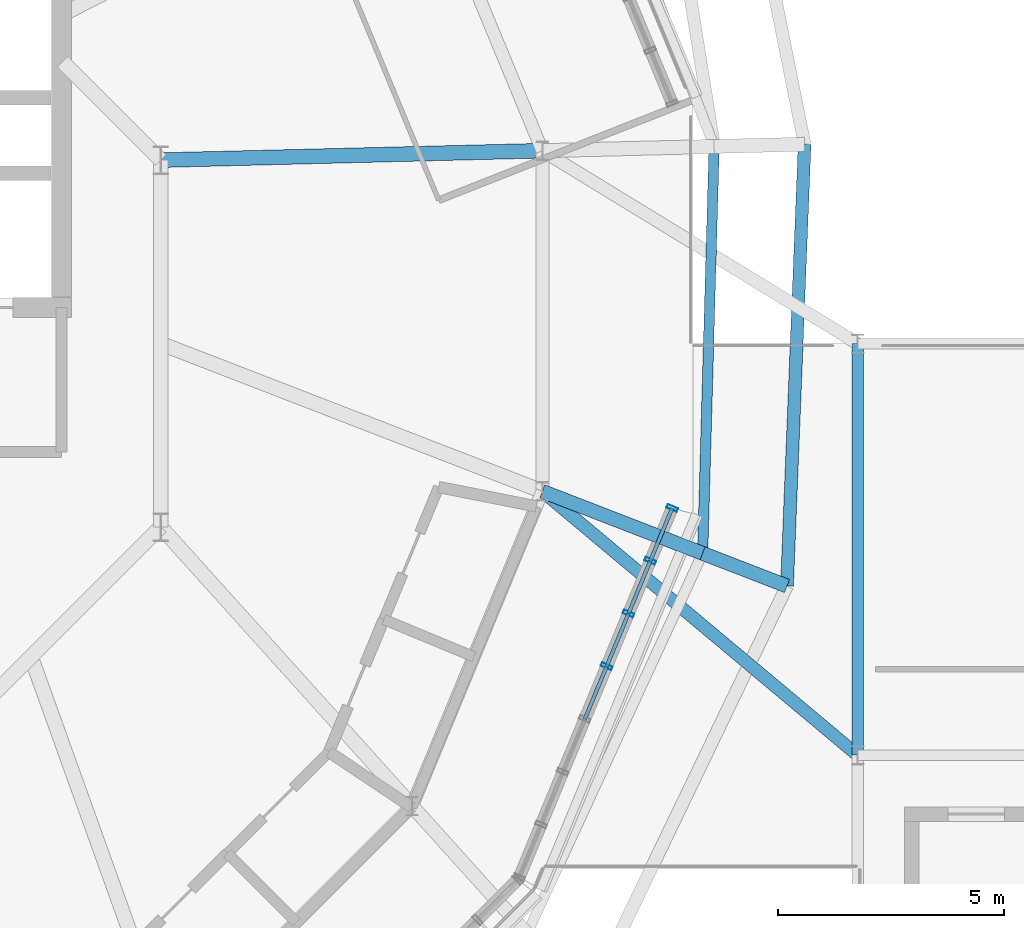
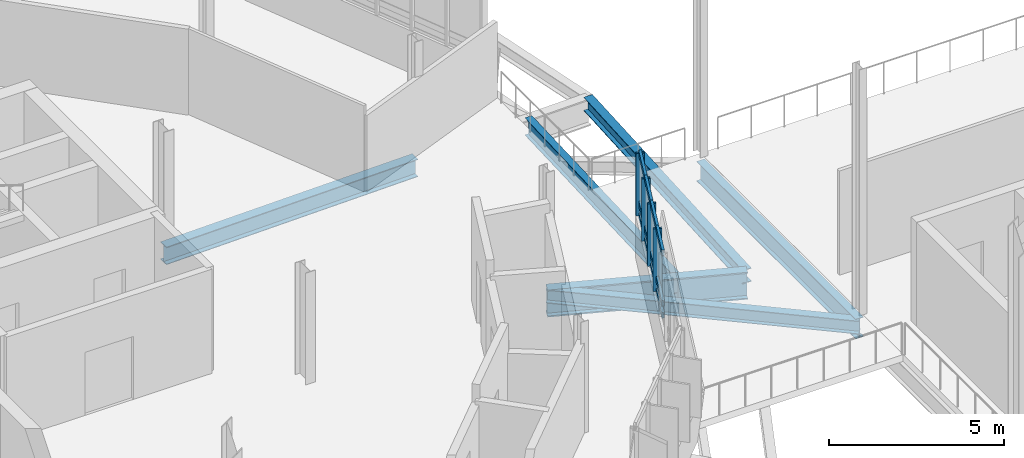
# One storey, part 21 of 61: 16 members, 7 beams, 1 element without a shape of its own.
"""IFC4 building model written with IfcOpenShell, lengths in metres."""

from ifc_helpers import new_model, si_unit, derived_unit, direction, frame, origin, origin_2d, place, context, subcontext, project, spatial, hollow_rectangle, i_section, extrude, material, layer, layer_set, material_profile, profile_set, type_object, element, aggregate, save


model = new_model("IFC4")

# Units and contexts
model_context = context("Model", 3, precision=1e-05, world=origin(), true_north=direction((0.0, 1.0)))
body_context = subcontext(model_context, "Body", "Model", "MODEL_VIEW")
ifc_project = project(units=[si_unit("LENGTHUNIT", "METRE"), si_unit("AREAUNIT", "SQUARE_METRE"), si_unit("VOLUMEUNIT", "CUBIC_METRE"), si_unit("PLANEANGLEUNIT", "RADIAN"), si_unit("MASSUNIT", "GRAM", prefix="KILO"), derived_unit("THERMALTRANSMITTANCEUNIT", [(si_unit("MASSUNIT", "GRAM", prefix="KILO"), 1), (si_unit("TIMEUNIT", "SECOND"), -3), (si_unit("THERMODYNAMICTEMPERATUREUNIT", "KELVIN"), -1)])], contexts=[model_context])

# Site, building, storey
site_placement = place(None, origin())
site = spatial("IfcSite", under=ifc_project, at=site_placement, CompositionType="ELEMENT")
building_placement = place(site_placement, origin())
building = spatial("IfcBuilding", under=site, at=building_placement, Name="Makaiwela Harbour Ferry Terminal", CompositionType="ELEMENT")
storey_placement = place(building_placement, frame((0.0, 0.0, 13.800048828125)))
storey = spatial("IfcBuildingStorey", under=building, at=storey_placement, Name="L03", CompositionType="ELEMENT", Elevation=13.800048828125)

# Curtain wall, members
ifc_material_1 = material(Name="Marine anodised aluminium 6063-T6", Category="aluminium")
ifc_layer = layer(ifc_material_1, 0.199951171875)
ifc_layer_set = layer_set([ifc_layer], Name="Marine anodised aluminium 6063-T6")
curtain_wall_type = type_object("IfcCurtainWallType", Name="ENV-CW-05", PredefinedType="USERDEFINED", material=ifc_layer_set)
curtain_wall_placement = place(storey_placement, origin())
curtain_wall = element("IfcCurtainWall", 1, at=curtain_wall_placement, inside=storey, type_object=curtain_wall_type, Name="Unitised Curtain Wall CWA-042", ObjectType="UNITIZED CURTAIN WALL", PredefinedType="USERDEFINED")
ifc_material_profile_1 = material_profile(ifc_material_1, hollow_rectangle(XDim=0.0849609375, YDim=0.25, WallThickness=0.0048828125, at=origin_2d()), Name="CWM-250X85")
ifc_profile_set_1 = profile_set([ifc_material_profile_1], Name="Marine anodised aluminium 6063-T6")
member_type_1 = type_object("IfcMemberType", Name="CW-MUL-250", PredefinedType="MULLION", material=ifc_profile_set_1)
member_1_placement = place(storey_placement, frame((57.451171875, 60.465576171875, 1.47998046875), z_axis=(0.0, 0.0, 1.0), x_axis=(0.382683432365, 0.923879532511, 0.0)))
member_1 = element("IfcMember", 2, at=member_1_placement, type_object=member_type_1, Name="Curtain Wall Mullion CWA-042-5", PredefinedType="MULLION", context=body_context, shape_type="SweptSolid", body=[
    extrude(hollow_rectangle(XDim=0.0849609375, YDim=0.25, WallThickness=0.0048828125, at=origin_2d()), origin(), (0.0, 0.0, 1.0), 2.179931640625),
])
member_2_placement = place(storey_placement, frame((57.934326171875, 61.6318359375, 1.47998046875), z_axis=(0.0, 0.0, 1.0), x_axis=(0.382683432365, 0.923879532511, 0.0)))
member_2 = element("IfcMember", 3, at=member_2_placement, type_object=member_type_1, Name="Curtain Wall Mullion CWA-042-6", PredefinedType="MULLION", context=body_context, shape_type="SweptSolid", body=[
    extrude(hollow_rectangle(XDim=0.0849609375, YDim=0.25, WallThickness=0.0048828125, at=origin_2d()), origin(), (0.0, 0.0, 1.0), 2.179931640625),
])
member_3_placement = place(storey_placement, frame((58.417236328125, 62.798095703125, 1.47998046875), z_axis=(0.0, 0.0, 1.0), x_axis=(0.382683432365, 0.923879532511, 0.0)))
member_3 = element("IfcMember", 4, at=member_3_placement, type_object=member_type_1, Name="Curtain Wall Mullion CWA-042-7", PredefinedType="MULLION", context=body_context, shape_type="SweptSolid", body=[
    extrude(hollow_rectangle(XDim=0.0849609375, YDim=0.25, WallThickness=0.0048828125, at=origin_2d()), origin(), (0.0, 0.0, 1.0), 2.179931640625),
])
member_4_placement = place(storey_placement, frame((58.900390625, 63.964111328125, 1.47998046875), z_axis=(0.0, 0.0, 1.0), x_axis=(0.382683432365, 0.923879532511, 0.0)))
member_4 = element("IfcMember", 5, at=member_4_placement, type_object=member_type_1, Name="Curtain Wall Mullion CWA-042-8", PredefinedType="MULLION", context=body_context, shape_type="SweptSolid", body=[
    extrude(hollow_rectangle(XDim=0.0849609375, YDim=0.25, WallThickness=0.0048828125, at=origin_2d()), origin(), (0.0, 0.0, 1.0), 2.179931640625),
])
ifc_material_profile_2 = material_profile(ifc_material_1, hollow_rectangle(XDim=0.0849609375, YDim=0.199951171875, WallThickness=0.0048828125, at=origin_2d()), Name="CWT-200X85")
ifc_profile_set_2 = profile_set([ifc_material_profile_2], Name="Marine anodised aluminium 6063-T6")
member_type_2 = type_object("IfcMemberType", Name="CW-TRN-200", PredefinedType="USERDEFINED", material=ifc_profile_set_2)
member_5_placement = place(storey_placement, frame((56.96826171875, 59.29931640625, 1.47998046875), z_axis=(0.382568167619, 0.923927268309, 0.0), x_axis=(-0.923927268309, 0.382568167619, 0.0)))
member_5 = element("IfcMember", 6, at=member_5_placement, type_object=member_type_2, Name="Curtain Wall Transom CWA-042-4-1", ObjectType="TRANSOM", PredefinedType="USERDEFINED", context=body_context, shape_type="SweptSolid", body=[
    extrude(hollow_rectangle(XDim=0.0849609375, YDim=0.199951171875, WallThickness=0.0048828125, at=origin_2d()), origin(), (0.0, 0.0, 1.0), 1.26220703125),
])
member_6_placement = place(storey_placement, frame((56.96826171875, 59.29931640625, 1.89990234375), z_axis=(0.382568167619, 0.923927268309, 0.0), x_axis=(-0.923927268309, 0.382568167619, 0.0)))
member_6 = element("IfcMember", 7, at=member_6_placement, type_object=member_type_2, Name="Curtain Wall Transom CWA-042-4-2", ObjectType="TRANSOM", PredefinedType="USERDEFINED", context=body_context, shape_type="SweptSolid", body=[
    extrude(hollow_rectangle(XDim=0.0849609375, YDim=0.199951171875, WallThickness=0.0048828125, at=origin_2d()), origin(), (0.0, 0.0, 1.0), 1.26220703125),
])
member_7_placement = place(storey_placement, frame((56.96826171875, 59.29931640625, 3.659912109375), z_axis=(0.382568167619, 0.923927268309, 0.0), x_axis=(-0.923927268309, 0.382568167619, 0.0)))
member_7 = element("IfcMember", 8, at=member_7_placement, type_object=member_type_2, Name="Curtain Wall Transom CWA-042-4-3", ObjectType="TRANSOM", PredefinedType="USERDEFINED", context=body_context, shape_type="SweptSolid", body=[
    extrude(hollow_rectangle(XDim=0.0849609375, YDim=0.199951171875, WallThickness=0.0048828125, at=origin_2d()), origin(), (0.0, 0.0, 1.0), 1.26220703125),
])
member_8_placement = place(storey_placement, frame((57.451171875, 60.465576171875, 1.47998046875), z_axis=(0.38273325349, 0.923858894352, 0.0), x_axis=(-0.923858894352, 0.38273325349, 0.0)))
member_8 = element("IfcMember", 9, at=member_8_placement, type_object=member_type_2, Name="Curtain Wall Transom CWA-042-5-1", ObjectType="TRANSOM", PredefinedType="USERDEFINED", context=body_context, shape_type="SweptSolid", body=[
    extrude(hollow_rectangle(XDim=0.0849609375, YDim=0.199951171875, WallThickness=0.0048828125, at=origin_2d()), origin(), (0.0, 0.0, 1.0), 1.262451171875),
])
member_9_placement = place(storey_placement, frame((57.451171875, 60.465576171875, 1.89990234375), z_axis=(0.38273325349, 0.923858894352, 0.0), x_axis=(-0.923858894352, 0.38273325349, 0.0)))
member_9 = element("IfcMember", 10, at=member_9_placement, type_object=member_type_2, Name="Curtain Wall Transom CWA-042-5-2", ObjectType="TRANSOM", PredefinedType="USERDEFINED", context=body_context, shape_type="SweptSolid", body=[
    extrude(hollow_rectangle(XDim=0.0849609375, YDim=0.199951171875, WallThickness=0.0048828125, at=origin_2d()), origin(), (0.0, 0.0, 1.0), 1.262451171875),
])
member_10_placement = place(storey_placement, frame((57.451171875, 60.465576171875, 3.659912109375), z_axis=(0.38273325349, 0.923858894352, 0.0), x_axis=(-0.923858894352, 0.38273325349, 0.0)))
member_10 = element("IfcMember", 11, at=member_10_placement, type_object=member_type_2, Name="Curtain Wall Transom CWA-042-5-3", ObjectType="TRANSOM", PredefinedType="USERDEFINED", context=body_context, shape_type="SweptSolid", body=[
    extrude(hollow_rectangle(XDim=0.0849609375, YDim=0.199951171875, WallThickness=0.0048828125, at=origin_2d()), origin(), (0.0, 0.0, 1.0), 1.262451171875),
])
member_11_placement = place(storey_placement, frame((57.934326171875, 61.6318359375, 1.47998046875), z_axis=(0.382568167619, 0.923927268309, 0.0), x_axis=(-0.923927268309, 0.382568167619, 0.0)))
member_11 = element("IfcMember", 12, at=member_11_placement, type_object=member_type_2, Name="Curtain Wall Transom CWA-042-6-1", ObjectType="TRANSOM", PredefinedType="USERDEFINED", context=body_context, shape_type="SweptSolid", body=[
    extrude(hollow_rectangle(XDim=0.0849609375, YDim=0.199951171875, WallThickness=0.0048828125, at=origin_2d()), origin(), (0.0, 0.0, 1.0), 1.26220703125),
])
member_12_placement = place(storey_placement, frame((57.934326171875, 61.6318359375, 1.89990234375), z_axis=(0.382568167619, 0.923927268309, 0.0), x_axis=(-0.923927268309, 0.382568167619, 0.0)))
member_12 = element("IfcMember", 13, at=member_12_placement, type_object=member_type_2, Name="Curtain Wall Transom CWA-042-6-2", ObjectType="TRANSOM", PredefinedType="USERDEFINED", context=body_context, shape_type="SweptSolid", body=[
    extrude(hollow_rectangle(XDim=0.0849609375, YDim=0.199951171875, WallThickness=0.0048828125, at=origin_2d()), origin(), (0.0, 0.0, 1.0), 1.26220703125),
])
member_13_placement = place(storey_placement, frame((57.934326171875, 61.6318359375, 3.659912109375), z_axis=(0.382568167619, 0.923927268309, 0.0), x_axis=(-0.923927268309, 0.382568167619, 0.0)))
member_13 = element("IfcMember", 14, at=member_13_placement, type_object=member_type_2, Name="Curtain Wall Transom CWA-042-6-3", ObjectType="TRANSOM", PredefinedType="USERDEFINED", context=body_context, shape_type="SweptSolid", body=[
    extrude(hollow_rectangle(XDim=0.0849609375, YDim=0.199951171875, WallThickness=0.0048828125, at=origin_2d()), origin(), (0.0, 0.0, 1.0), 1.26220703125),
])
member_14_placement = place(storey_placement, frame((58.417236328125, 62.798095703125, 1.47998046875), z_axis=(0.382801648306, 0.923830557004, 0.0), x_axis=(-0.923830557004, 0.382801648306, 0.0)))
member_14 = element("IfcMember", 15, at=member_14_placement, type_object=member_type_2, Name="Curtain Wall Transom CWA-042-7-1", ObjectType="TRANSOM", PredefinedType="USERDEFINED", context=body_context, shape_type="SweptSolid", body=[
    extrude(hollow_rectangle(XDim=0.0849609375, YDim=0.199951171875, WallThickness=0.0048828125, at=origin_2d()), origin(), (0.0, 0.0, 1.0), 1.26220703125),
])
member_15_placement = place(storey_placement, frame((58.417236328125, 62.798095703125, 1.89990234375), z_axis=(0.382801648306, 0.923830557004, 0.0), x_axis=(-0.923830557004, 0.382801648306, 0.0)))
member_15 = element("IfcMember", 16, at=member_15_placement, type_object=member_type_2, Name="Curtain Wall Transom CWA-042-7-2", ObjectType="TRANSOM", PredefinedType="USERDEFINED", context=body_context, shape_type="SweptSolid", body=[
    extrude(hollow_rectangle(XDim=0.0849609375, YDim=0.199951171875, WallThickness=0.0048828125, at=origin_2d()), origin(), (0.0, 0.0, 1.0), 1.26220703125),
])
member_16_placement = place(storey_placement, frame((58.417236328125, 62.798095703125, 3.659912109375), z_axis=(0.382801648306, 0.923830557004, 0.0), x_axis=(-0.923830557004, 0.382801648306, 0.0)))
member_16 = element("IfcMember", 17, at=member_16_placement, type_object=member_type_2, Name="Curtain Wall Transom CWA-042-7-3", ObjectType="TRANSOM", PredefinedType="USERDEFINED", context=body_context, shape_type="SweptSolid", body=[
    extrude(hollow_rectangle(XDim=0.0849609375, YDim=0.199951171875, WallThickness=0.0048828125, at=origin_2d()), origin(), (0.0, 0.0, 1.0), 1.26220703125),
])
aggregate(curtain_wall, [member_1, member_2, member_3, member_4, member_5, member_6, member_7, member_8, member_9, member_10, member_11, member_12, member_13, member_14, member_15, member_16])

# Beams
ifc_material_2 = material(Name="Steel ASTM A992 Grade 50", Category="steel")
ifc_material_profile_3 = material_profile(ifc_material_2, i_section(OverallWidth=0.280029296875, OverallDepth=0.462890625, WebThickness=0.0107421875, FlangeThickness=0.017333984375, at=origin_2d()), Name="W18X76")
ifc_profile_set_3 = profile_set([ifc_material_profile_3], Name="Steel ASTM A992 Grade 50")
beam_type_1 = type_object("IfcBeamType", Name="STR-BM-W18X76", PredefinedType="BEAM", material=ifc_profile_set_3)
beam_1_placement = place(storey_placement, frame((56.029296875, 64.334716796875, -0.486572265625), z_axis=(0.766823765562, -0.6418577043, 0.0), x_axis=(0.6418577043, 0.766823765562, 0.0)))
element("IfcBeam", 18, at=beam_1_placement, inside=storey, type_object=beam_type_1, Name="Neck tie beam 368", PredefinedType="BEAM", context=body_context, shape_type="SweptSolid", body=[
    extrude(i_section(OverallWidth=0.280029296875, OverallDepth=0.462890625, WebThickness=0.0107421875, FlangeThickness=0.017333984375, at=origin_2d()), origin(), (0.0, 0.0, 1.0), 9.09033203125),
])
ifc_material_profile_4 = material_profile(ifc_material_2, i_section(OverallWidth=0.324951171875, OverallDepth=0.615966796875, WebThickness=0.013916015625, FlangeThickness=0.021484375, at=origin_2d()), Name="W24X117")
ifc_profile_set_4 = profile_set([ifc_material_profile_4], Name="Steel ASTM A992 Grade 50")
beam_type_2 = type_object("IfcBeamType", Name="STR-GRD-W24X117", PredefinedType="USERDEFINED", material=ifc_profile_set_4)
beam_2_placement = place(storey_placement, frame((47.593017578125, 71.656494140625, -0.56298828125), z_axis=(0.999694028426, 0.024735592369, 0.0), x_axis=(-0.024735592369, 0.999694028426, 0.0)))
element("IfcBeam", 19, at=beam_2_placement, inside=storey, type_object=beam_type_2, Name="Drum radial girder 271", ObjectType="GIRDER", PredefinedType="USERDEFINED", context=body_context, shape_type="SweptSolid", body=[
    extrude(i_section(OverallWidth=0.324951171875, OverallDepth=0.615966796875, WebThickness=0.013916015625, FlangeThickness=0.021484375, at=origin_2d()), origin(), (0.0, 0.0, 1.0), 8.43896484375),
])
ifc_material_profile_5 = material_profile(ifc_material_2, i_section(OverallWidth=0.22900390625, OverallDepth=0.612060546875, WebThickness=0.011962890625, FlangeThickness=0.01953125, at=origin_2d()), Name="W24X84")
ifc_profile_set_5 = profile_set([ifc_material_profile_5], Name="Steel ASTM A992 Grade 50")
beam_type_3 = type_object("IfcBeamType", Name="STR-GRD-W24X84", PredefinedType="USERDEFINED", material=ifc_profile_set_5)
beam_3_placement = place(storey_placement, frame((59.572998046875, 62.963134765625, -0.56103515625), z_axis=(0.028321244668, 0.999598873099, 0.0), x_axis=(-0.999598873099, 0.028321244668, 0.0)))
element("IfcBeam", 20, at=beam_3_placement, inside=storey, type_object=beam_type_3, Name="Drum overhang tie girder 354", ObjectType="GIRDER", PredefinedType="USERDEFINED", context=body_context, shape_type="SweptSolid", body=[
    extrude(i_section(OverallWidth=0.22900390625, OverallDepth=0.612060546875, WebThickness=0.011962890625, FlangeThickness=0.01953125, at=origin_2d()), origin(), (0.0, 0.0, 1.0), 8.999755859375),
])
ifc_material_profile_6 = material_profile(ifc_material_2, i_section(OverallWidth=0.256103515625, OverallDepth=0.693115234375, WebThickness=0.014404296875, FlangeThickness=0.023681640625, at=origin_2d()), Name="W27X114")
ifc_profile_set_6 = profile_set([ifc_material_profile_6], Name="Steel ASTM A992 Grade 50")
beam_type_4 = type_object("IfcBeamType", Name="STR-GRD-W27X114", PredefinedType="USERDEFINED", material=ifc_profile_set_6)
beam_4_placement = place(storey_placement, frame((63.0, 58.5, -0.586669921875), z_axis=(0.0, 1.0, 0.0), x_axis=(-1.0, 0.0, 0.0)))
element("IfcBeam", 21, at=beam_4_placement, inside=storey, type_object=beam_type_4, Name="Primary Y girder 1599", ObjectType="GIRDER", PredefinedType="USERDEFINED", context=body_context, shape_type="SweptSolid", body=[
    extrude(i_section(OverallWidth=0.256103515625, OverallDepth=0.693115234375, WebThickness=0.014404296875, FlangeThickness=0.023681640625, at=origin_2d()), origin(), (0.0, 0.0, 1.0), 9.10009765625),
])
ifc_material_profile_7 = material_profile(ifc_material_2, i_section(OverallWidth=0.31005859375, OverallDepth=0.949951171875, WebThickness=0.0244140625, FlangeThickness=0.0439453125, at=origin_2d()), Name="W36X256")
ifc_profile_set_7 = profile_set([ifc_material_profile_7], Name="Steel ASTM A992 Grade 50")
beam_type_5 = type_object("IfcBeamType", Name="STR-GRD-W36X256", PredefinedType="USERDEFINED", material=ifc_profile_set_7)
beam_5_placement = place(storey_placement, frame((56.029296875, 64.334716796875, -0.72998046875), z_axis=(0.93258344757, -0.360954447706, 0.0), x_axis=(0.360954447706, 0.93258344757, 0.0)))
element("IfcBeam", 22, at=beam_5_placement, inside=storey, type_object=beam_type_5, Name="Drum radial overhang 326", ObjectType="GIRDER", PredefinedType="USERDEFINED", context=body_context, shape_type="SweptSolid", body=[
    extrude(i_section(OverallWidth=0.31005859375, OverallDepth=0.949951171875, WebThickness=0.0244140625, FlangeThickness=0.0439453125, at=origin_2d()), origin(), (0.0, 0.0, 1.0), 3.7998046875),
])
beam_6_placement = place(storey_placement, frame((59.572998046875, 62.963134765625, -0.72998046875), z_axis=(0.932585330079, -0.360949583906, 0.0), x_axis=(0.360949583906, 0.932585330079, 0.0)))
element("IfcBeam", 23, at=beam_6_placement, inside=storey, type_object=beam_type_5, Name="Drum overhang radial girder 327", ObjectType="GIRDER", PredefinedType="USERDEFINED", context=body_context, shape_type="SweptSolid", body=[
    extrude(i_section(OverallWidth=0.31005859375, OverallDepth=0.949951171875, WebThickness=0.0244140625, FlangeThickness=0.0439453125, at=origin_2d()), origin(), (0.0, 0.0, 1.0), 2.0),
])
ifc_material_profile_8 = material_profile(ifc_material_2, i_section(OverallWidth=0.283935546875, OverallDepth=0.47607421875, WebThickness=0.014892578125, FlangeThickness=0.02392578125, at=origin_2d()), Name="W18X106")
ifc_profile_set_8 = profile_set([ifc_material_profile_8], Name="Steel ASTM A992 Grade 50")
beam_type_6 = type_object("IfcBeamType", Name="STR-SPN-W18X106", PredefinedType="SPANDREL", material=ifc_profile_set_8)
beam_7_placement = place(storey_placement, frame((61.438232421875, 62.2412109375, -0.4931640625), z_axis=(0.039810446821, 0.999207249936, 0.0), x_axis=(-0.999207249936, 0.039810446821, 0.0)))
element("IfcBeam", 24, at=beam_7_placement, inside=storey, type_object=beam_type_6, Name="Drum perimeter spandrel 367", PredefinedType="SPANDREL", context=body_context, shape_type="SweptSolid", body=[
    extrude(i_section(OverallWidth=0.283935546875, OverallDepth=0.47607421875, WebThickness=0.014892578125, FlangeThickness=0.02392578125, at=origin_2d()), origin(), (0.0, 0.0, 1.0), 9.775390625),
])

save(model, "model.ifc")
